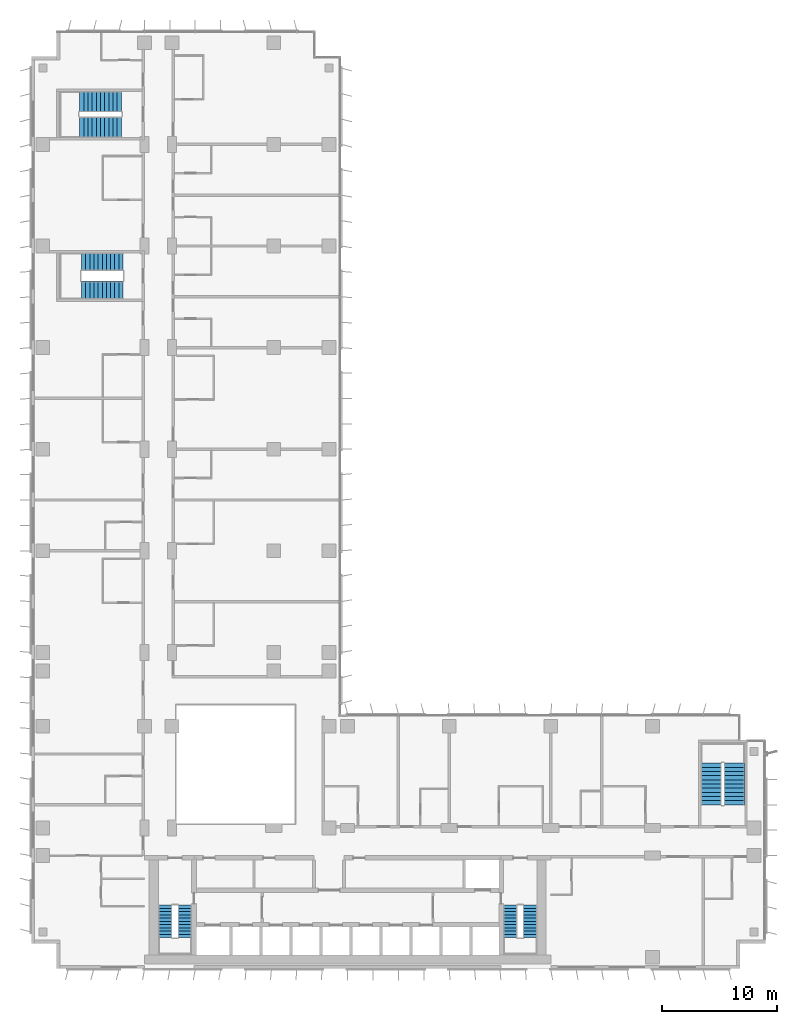
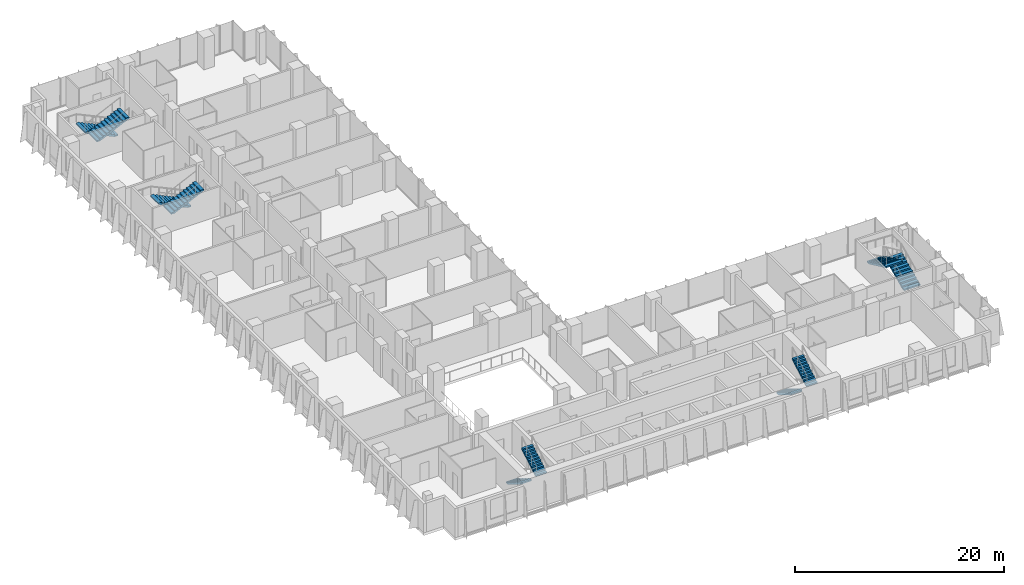
# One storey, part 18 of 22: 10 stair flights, 5 elements without a shape of their own.
"""IFC4 building model written with IfcOpenShell, lengths in metres."""

from ifc_helpers import new_model, si_unit, direction, frame, origin, place, context, subcontext, project, spatial, polyline, outline, extrude, material, type_object, element, aggregate, save


model = new_model("IFC4")

# Units and contexts
model_context = context("Model", 3, precision=1e-05, world=origin(), true_north=direction((0.0, 1.0)))
body_context = subcontext(model_context, "Body", "Model", "MODEL_VIEW")
ifc_project = project(units=[si_unit("LENGTHUNIT", "METRE"), si_unit("AREAUNIT", "SQUARE_METRE"), si_unit("VOLUMEUNIT", "CUBIC_METRE"), si_unit("PLANEANGLEUNIT", "RADIAN"), si_unit("MASSUNIT", "GRAM", prefix="KILO")], contexts=[model_context])

# Site, building, storey
site_placement = place(None, origin())
site = spatial("IfcSite", under=ifc_project, at=site_placement, CompositionType="ELEMENT")
building_placement = place(site_placement, origin())
building = spatial("IfcBuilding", under=site, at=building_placement, Name="Kemantara Hotel Tower", CompositionType="ELEMENT")
storey_placement = place(building_placement, frame((0.0, 0.0, 94.5)))
storey = spatial("IfcBuildingStorey", under=building, at=storey_placement, Name="L22", CompositionType="ELEMENT", Elevation=94.5)

# Stair, stair flights
ifc_material = material(Name="Concrete fc 40 MPa", Category="concrete")
stair_type_1 = type_object("IfcStairType", Name="Stair 1200 wide 22 risers of 168 x 280 mm", PredefinedType="HALF_TURN_STAIR", material=ifc_material)
stair_1_placement = place(storey_placement, origin())
stair_1 = element("IfcStair", 1, at=stair_1_placement, inside=storey, type_object=stair_type_1, Name="L22 Exit stair ST1", PredefinedType="HALF_TURN_STAIR")
stair_flight_type_1 = type_object("IfcStairFlightType", Name="Stair flight 1200 wide 168 x 280 mm", PredefinedType="STRAIGHT", material=ifc_material)
stair_flight_1_placement = place(storey_placement, frame((11.60009765625, 5.5, 0.0), z_axis=(0.0, 0.0, 1.0), x_axis=(0.0, -1.0, 0.0)))
stair_flight_1 = element("IfcStairFlight", 2, at=stair_flight_1_placement, type_object=stair_flight_type_1, Name="ST1 flight 1", NumberOfRisers=11, NumberOfTreads=10, PredefinedType="STRAIGHT", RiserHeight=0.168181818, TreadLength=0.28, context=body_context, shape_type="SweptSolid", body=[
    extrude(outline(polyline([(0.0, 0.0), (0.0, 0.168212890625), (0.280029296875, 0.168212890625), (0.280029296875, 0.33642578125), (0.56005859375, 0.33642578125), (0.56005859375, 0.504638671875), (0.840087890625, 0.504638671875), (0.840087890625, 0.672607421875), (1.1201171875, 0.672607421875), (1.1201171875, 0.8408203125), (1.39990234375, 0.8408203125), (1.39990234375, 1.009033203125), (1.679931640625, 1.009033203125), (1.679931640625, 1.17724609375), (1.9599609375, 1.17724609375), (1.9599609375, 1.345458984375), (2.239990234375, 1.345458984375), (2.239990234375, 1.513671875), (2.52001953125, 1.513671875), (2.52001953125, 1.681884765625), (2.800048828125, 1.681884765625), (2.800048828125, 1.85009765625), (2.800048828125, 1.5068359375), (0.291015625, 0.0), (0.0, 0.0)])), frame((0.0, 0.60009765625, 0.0), z_axis=(0.0, -1.0, 0.0), x_axis=(1.0, 0.0, 0.0)), (0.0, 0.0, 1.0), 1.199951171875),
])
stair_flight_2_placement = place(storey_placement, frame((13.300048828125, 2.699951171875, 1.85009765625), z_axis=(0.0, 0.0, 1.0), x_axis=(0.0, 1.0, 0.0)))
stair_flight_2 = element("IfcStairFlight", 3, at=stair_flight_2_placement, type_object=stair_flight_type_1, Name="ST1 flight 2", NumberOfRisers=11, NumberOfTreads=10, PredefinedType="STRAIGHT", RiserHeight=0.168181818, TreadLength=0.28, context=body_context, shape_type="SweptSolid", body=[
    extrude(outline(polyline([(0.0, 0.0), (0.0, 0.168212890625), (0.280029296875, 0.168212890625), (0.280029296875, 0.33642578125), (0.56005859375, 0.33642578125), (0.56005859375, 0.504638671875), (0.840087890625, 0.504638671875), (0.840087890625, 0.672607421875), (1.1201171875, 0.672607421875), (1.1201171875, 0.8408203125), (1.39990234375, 0.8408203125), (1.39990234375, 1.009033203125), (1.679931640625, 1.009033203125), (1.679931640625, 1.17724609375), (1.9599609375, 1.17724609375), (1.9599609375, 1.345458984375), (2.239990234375, 1.345458984375), (2.239990234375, 1.513671875), (2.52001953125, 1.513671875), (2.52001953125, 1.681884765625), (2.800048828125, 1.681884765625), (2.800048828125, 1.85009765625), (2.800048828125, 1.5068359375), (0.291015625, 0.0), (0.0, 0.0)])), frame((0.0, 0.60009765625, 0.0), z_axis=(0.0, -1.0, 0.0), x_axis=(1.0, 0.0, 0.0)), (0.0, 0.0, 1.0), 1.199951171875),
])
aggregate(stair_1, [stair_flight_1, stair_flight_2])

stair_2_placement = place(storey_placement, origin())
stair_2 = element("IfcStair", 4, at=stair_2_placement, inside=storey, type_object=stair_type_1, Name="L22 Exit stair ST2", PredefinedType="HALF_TURN_STAIR")
stair_flight_3_placement = place(storey_placement, frame((41.5, 5.5, 0.0), z_axis=(0.0, 0.0, 1.0), x_axis=(0.0, -1.0, 0.0)))
stair_flight_3 = element("IfcStairFlight", 5, at=stair_flight_3_placement, type_object=stair_flight_type_1, Name="ST2 flight 1", NumberOfRisers=11, NumberOfTreads=10, PredefinedType="STRAIGHT", RiserHeight=0.168181818, TreadLength=0.28, context=body_context, shape_type="SweptSolid", body=[
    extrude(outline(polyline([(0.0, 0.0), (0.0, 0.168212890625), (0.280029296875, 0.168212890625), (0.280029296875, 0.33642578125), (0.56005859375, 0.33642578125), (0.56005859375, 0.504638671875), (0.840087890625, 0.504638671875), (0.840087890625, 0.672607421875), (1.1201171875, 0.672607421875), (1.1201171875, 0.8408203125), (1.39990234375, 0.8408203125), (1.39990234375, 1.009033203125), (1.679931640625, 1.009033203125), (1.679931640625, 1.17724609375), (1.9599609375, 1.17724609375), (1.9599609375, 1.345458984375), (2.239990234375, 1.345458984375), (2.239990234375, 1.513671875), (2.52001953125, 1.513671875), (2.52001953125, 1.681884765625), (2.800048828125, 1.681884765625), (2.800048828125, 1.85009765625), (2.800048828125, 1.5068359375), (0.291015625, 0.0), (0.0, 0.0)])), frame((0.0, 0.60009765625, 0.0), z_axis=(0.0, -1.0, 0.0), x_axis=(1.0, 0.0, 0.0)), (0.0, 0.0, 1.0), 1.199951171875),
])
stair_flight_4_placement = place(storey_placement, frame((43.199951171875, 2.699951171875, 1.85009765625), z_axis=(0.0, 0.0, 1.0), x_axis=(0.0, 1.0, 0.0)))
stair_flight_4 = element("IfcStairFlight", 6, at=stair_flight_4_placement, type_object=stair_flight_type_1, Name="ST2 flight 2", NumberOfRisers=11, NumberOfTreads=10, PredefinedType="STRAIGHT", RiserHeight=0.168181818, TreadLength=0.28, context=body_context, shape_type="SweptSolid", body=[
    extrude(outline(polyline([(0.0, 0.0), (0.0, 0.168212890625), (0.280029296875, 0.168212890625), (0.280029296875, 0.33642578125), (0.56005859375, 0.33642578125), (0.56005859375, 0.504638671875), (0.840087890625, 0.504638671875), (0.840087890625, 0.672607421875), (1.1201171875, 0.672607421875), (1.1201171875, 0.8408203125), (1.39990234375, 0.8408203125), (1.39990234375, 1.009033203125), (1.679931640625, 1.009033203125), (1.679931640625, 1.17724609375), (1.9599609375, 1.17724609375), (1.9599609375, 1.345458984375), (2.239990234375, 1.345458984375), (2.239990234375, 1.513671875), (2.52001953125, 1.513671875), (2.52001953125, 1.681884765625), (2.800048828125, 1.681884765625), (2.800048828125, 1.85009765625), (2.800048828125, 1.5068359375), (0.291015625, 0.0), (0.0, 0.0)])), frame((0.0, 0.60009765625, 0.0), z_axis=(0.0, -1.0, 0.0), x_axis=(1.0, 0.0, 0.0)), (0.0, 0.0, 1.0), 1.199951171875),
])
aggregate(stair_2, [stair_flight_3, stair_flight_4])

stair_type_2 = type_object("IfcStairType", Name="Stair 1550 wide 22 risers of 168 x 360 mm", PredefinedType="HALF_TURN_STAIR", material=ifc_material)
stair_3_placement = place(storey_placement, origin())
stair_3 = element("IfcStair", 7, at=stair_3_placement, inside=storey, type_object=stair_type_2, Name="L22 Exit stair ST4", PredefinedType="HALF_TURN_STAIR")
stair_flight_type_2 = type_object("IfcStairFlightType", Name="Stair flight 1550 wide 168 x 360 mm", PredefinedType="STRAIGHT", material=ifc_material)
stair_flight_5_placement = place(storey_placement, frame((7.949951171875, 61.22509765625, 0.0), z_axis=(0.0, 0.0, 1.0), x_axis=(-1.0, 0.0, 0.0)))
stair_flight_5 = element("IfcStairFlight", 8, at=stair_flight_5_placement, type_object=stair_flight_type_2, Name="ST4 flight 1", NumberOfRisers=11, NumberOfTreads=10, PredefinedType="STRAIGHT", RiserHeight=0.168181818, TreadLength=0.36, context=body_context, shape_type="SweptSolid", body=[
    extrude(outline(polyline([(0.0, 0.0), (0.0, 0.168212890625), (0.360107421875, 0.168212890625), (0.360107421875, 0.33642578125), (0.719970703125, 0.33642578125), (0.719970703125, 0.504638671875), (1.080078125, 0.504638671875), (1.080078125, 0.672607421875), (1.43994140625, 0.672607421875), (1.43994140625, 0.8408203125), (1.800048828125, 0.8408203125), (1.800048828125, 1.009033203125), (2.159912109375, 1.009033203125), (2.159912109375, 1.17724609375), (2.52001953125, 1.17724609375), (2.52001953125, 1.345458984375), (2.8798828125, 1.345458984375), (2.8798828125, 1.513671875), (3.239990234375, 1.513671875), (3.239990234375, 1.681884765625), (3.60009765625, 1.681884765625), (3.60009765625, 1.85009765625), (3.60009765625, 1.516357421875), (0.354248046875, 0.0), (0.0, 0.0)])), frame((0.0, 0.77490234375, 0.0), z_axis=(0.0, -1.0, 0.0), x_axis=(1.0, 0.0, 0.0)), (0.0, 0.0, 1.0), 1.550048828125),
])
stair_flight_6_placement = place(storey_placement, frame((4.35009765625, 58.77490234375, 1.85009765625), z_axis=(0.0, 0.0, 1.0), x_axis=(1.0, 0.0, 0.0)))
stair_flight_6 = element("IfcStairFlight", 9, at=stair_flight_6_placement, type_object=stair_flight_type_2, Name="ST4 flight 2", NumberOfRisers=11, NumberOfTreads=10, PredefinedType="STRAIGHT", RiserHeight=0.168181818, TreadLength=0.36, context=body_context, shape_type="SweptSolid", body=[
    extrude(outline(polyline([(0.0, 0.0), (0.0, 0.168212890625), (0.360107421875, 0.168212890625), (0.360107421875, 0.33642578125), (0.719970703125, 0.33642578125), (0.719970703125, 0.504638671875), (1.080078125, 0.504638671875), (1.080078125, 0.672607421875), (1.43994140625, 0.672607421875), (1.43994140625, 0.8408203125), (1.800048828125, 0.8408203125), (1.800048828125, 1.009033203125), (2.159912109375, 1.009033203125), (2.159912109375, 1.17724609375), (2.52001953125, 1.17724609375), (2.52001953125, 1.345458984375), (2.8798828125, 1.345458984375), (2.8798828125, 1.513671875), (3.239990234375, 1.513671875), (3.239990234375, 1.681884765625), (3.60009765625, 1.681884765625), (3.60009765625, 1.85009765625), (3.60009765625, 1.516357421875), (0.354248046875, 0.0), (0.0, 0.0)])), frame((0.0, 0.77490234375, 0.0), z_axis=(0.0, -1.0, 0.0), x_axis=(1.0, 0.0, 0.0)), (0.0, 0.0, 1.0), 1.550048828125),
])
aggregate(stair_3, [stair_flight_5, stair_flight_6])

stair_type_3 = type_object("IfcStairType", Name="Stair 1800 wide 22 risers of 168 x 360 mm", PredefinedType="HALF_TURN_STAIR", material=ifc_material)
stair_4_placement = place(storey_placement, origin())
stair_4 = element("IfcStair", 10, at=stair_4_placement, inside=storey, type_object=stair_type_3, Name="L22 Exit stair ST3", PredefinedType="HALF_TURN_STAIR")
stair_flight_type_3 = type_object("IfcStairFlightType", Name="Stair flight 1800 wide 168 x 360 mm", PredefinedType="STRAIGHT", material=ifc_material)
stair_flight_7_placement = place(storey_placement, frame((60.89990234375, 14.199951171875, 0.0), z_axis=(0.0, 0.0, 1.0), x_axis=(0.0, 1.0, 0.0)))
stair_flight_7 = element("IfcStairFlight", 11, at=stair_flight_7_placement, type_object=stair_flight_type_3, Name="ST3 flight 1", NumberOfRisers=11, NumberOfTreads=10, PredefinedType="STRAIGHT", RiserHeight=0.168181818, TreadLength=0.36, context=body_context, shape_type="SweptSolid", body=[
    extrude(outline(polyline([(0.0, 0.0), (0.0, 0.168212890625), (0.360107421875, 0.168212890625), (0.360107421875, 0.33642578125), (0.719970703125, 0.33642578125), (0.719970703125, 0.504638671875), (1.080078125, 0.504638671875), (1.080078125, 0.672607421875), (1.43994140625, 0.672607421875), (1.43994140625, 0.8408203125), (1.800048828125, 0.8408203125), (1.800048828125, 1.009033203125), (2.159912109375, 1.009033203125), (2.159912109375, 1.17724609375), (2.52001953125, 1.17724609375), (2.52001953125, 1.345458984375), (2.8798828125, 1.345458984375), (2.8798828125, 1.513671875), (3.239990234375, 1.513671875), (3.239990234375, 1.681884765625), (3.60009765625, 1.681884765625), (3.60009765625, 1.85009765625), (3.60009765625, 1.516357421875), (0.354248046875, 0.0), (0.0, 0.0)])), frame((0.0, 0.89990234375, 0.0), z_axis=(0.0, -1.0, 0.0), x_axis=(1.0, 0.0, 0.0)), (0.0, 0.0, 1.0), 1.800048828125),
])
stair_flight_8_placement = place(storey_placement, frame((58.89990234375, 17.800048828125, 1.85009765625), z_axis=(0.0, 0.0, 1.0), x_axis=(0.0, -1.0, 0.0)))
stair_flight_8 = element("IfcStairFlight", 12, at=stair_flight_8_placement, type_object=stair_flight_type_3, Name="ST3 flight 2", NumberOfRisers=11, NumberOfTreads=10, PredefinedType="STRAIGHT", RiserHeight=0.168181818, TreadLength=0.36, context=body_context, shape_type="SweptSolid", body=[
    extrude(outline(polyline([(0.0, 0.0), (0.0, 0.168212890625), (0.360107421875, 0.168212890625), (0.360107421875, 0.33642578125), (0.719970703125, 0.33642578125), (0.719970703125, 0.504638671875), (1.080078125, 0.504638671875), (1.080078125, 0.672607421875), (1.43994140625, 0.672607421875), (1.43994140625, 0.8408203125), (1.800048828125, 0.8408203125), (1.800048828125, 1.009033203125), (2.159912109375, 1.009033203125), (2.159912109375, 1.17724609375), (2.52001953125, 1.17724609375), (2.52001953125, 1.345458984375), (2.8798828125, 1.345458984375), (2.8798828125, 1.513671875), (3.239990234375, 1.513671875), (3.239990234375, 1.681884765625), (3.60009765625, 1.681884765625), (3.60009765625, 1.85009765625), (3.60009765625, 1.516357421875), (0.354248046875, 0.0), (0.0, 0.0)])), frame((0.0, 0.89990234375, 0.0), z_axis=(0.0, -1.0, 0.0), x_axis=(1.0, 0.0, 0.0)), (0.0, 0.0, 1.0), 1.800048828125),
])
aggregate(stair_4, [stair_flight_7, stair_flight_8])

stair_5_placement = place(storey_placement, origin())
stair_5 = element("IfcStair", 13, at=stair_5_placement, inside=storey, type_object=stair_type_3, Name="L22 Exit stair ST6", PredefinedType="HALF_TURN_STAIR")
stair_flight_9_placement = place(storey_placement, frame((7.800048828125, 75.10009765625, 0.0), z_axis=(0.0, 0.0, 1.0), x_axis=(-1.0, 0.0, 0.0)))
stair_flight_9 = element("IfcStairFlight", 14, at=stair_flight_9_placement, type_object=stair_flight_type_3, Name="ST6 flight 1", NumberOfRisers=11, NumberOfTreads=10, PredefinedType="STRAIGHT", RiserHeight=0.168181818, TreadLength=0.36, context=body_context, shape_type="SweptSolid", body=[
    extrude(outline(polyline([(0.0, 0.0), (0.0, 0.168212890625), (0.360107421875, 0.168212890625), (0.360107421875, 0.33642578125), (0.719970703125, 0.33642578125), (0.719970703125, 0.504638671875), (1.080078125, 0.504638671875), (1.080078125, 0.672607421875), (1.43994140625, 0.672607421875), (1.43994140625, 0.8408203125), (1.800048828125, 0.8408203125), (1.800048828125, 1.009033203125), (2.159912109375, 1.009033203125), (2.159912109375, 1.17724609375), (2.52001953125, 1.17724609375), (2.52001953125, 1.345458984375), (2.8798828125, 1.345458984375), (2.8798828125, 1.513671875), (3.239990234375, 1.513671875), (3.239990234375, 1.681884765625), (3.60009765625, 1.681884765625), (3.60009765625, 1.85009765625), (3.60009765625, 1.516357421875), (0.354248046875, 0.0), (0.0, 0.0)])), frame((0.0, 0.89990234375, 0.0), z_axis=(0.0, -1.0, 0.0), x_axis=(1.0, 0.0, 0.0)), (0.0, 0.0, 1.0), 1.800048828125),
])
stair_flight_10_placement = place(storey_placement, frame((4.199951171875, 72.89990234375, 1.85009765625), z_axis=(0.0, 0.0, 1.0), x_axis=(1.0, 0.0, 0.0)))
stair_flight_10 = element("IfcStairFlight", 15, at=stair_flight_10_placement, type_object=stair_flight_type_3, Name="ST6 flight 2", NumberOfRisers=11, NumberOfTreads=10, PredefinedType="STRAIGHT", RiserHeight=0.168181818, TreadLength=0.36, context=body_context, shape_type="SweptSolid", body=[
    extrude(outline(polyline([(0.0, 0.0), (0.0, 0.168212890625), (0.360107421875, 0.168212890625), (0.360107421875, 0.33642578125), (0.719970703125, 0.33642578125), (0.719970703125, 0.504638671875), (1.080078125, 0.504638671875), (1.080078125, 0.672607421875), (1.43994140625, 0.672607421875), (1.43994140625, 0.8408203125), (1.800048828125, 0.8408203125), (1.800048828125, 1.009033203125), (2.159912109375, 1.009033203125), (2.159912109375, 1.17724609375), (2.52001953125, 1.17724609375), (2.52001953125, 1.345458984375), (2.8798828125, 1.345458984375), (2.8798828125, 1.513671875), (3.239990234375, 1.513671875), (3.239990234375, 1.681884765625), (3.60009765625, 1.681884765625), (3.60009765625, 1.85009765625), (3.60009765625, 1.516357421875), (0.354248046875, 0.0), (0.0, 0.0)])), frame((0.0, 0.89990234375, 0.0), z_axis=(0.0, -1.0, 0.0), x_axis=(1.0, 0.0, 0.0)), (0.0, 0.0, 1.0), 1.800048828125),
])
aggregate(stair_5, [stair_flight_9, stair_flight_10])

save(model, "model.ifc")
